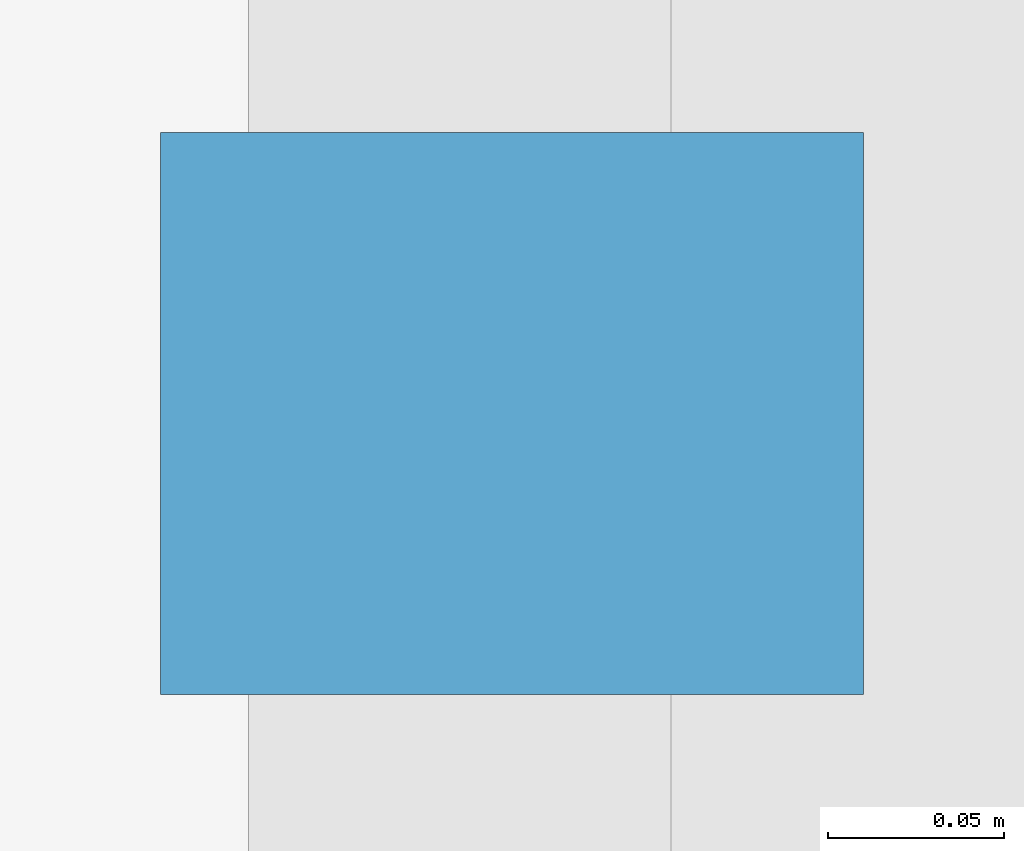
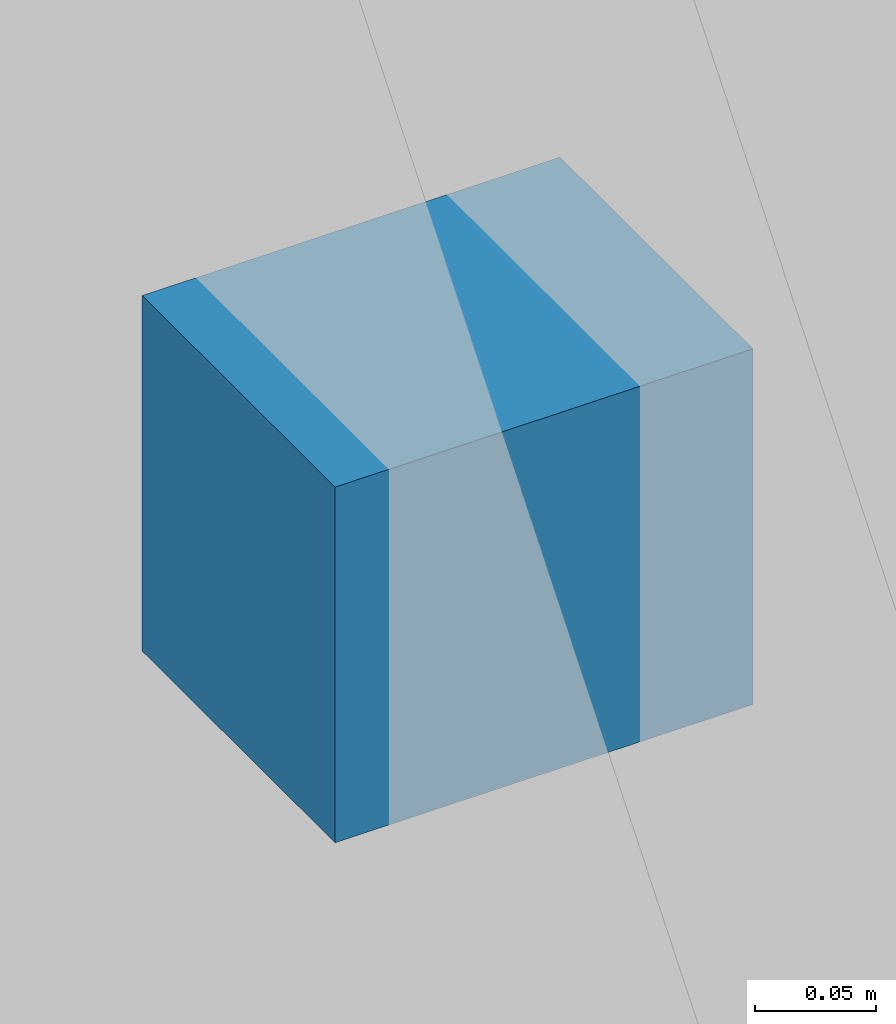
# One storey, part 18 of 22: 1 discrete accessory.
"""IFC4 building model written with IfcOpenShell, lengths in metres."""

import ifcopenshell
import ifcopenshell.guid

model = None  # the IFC model being written
_history = None  # IfcOwnerHistory: only IFC2X3 demands one
_inside = {}  # id of a spatial element -> (the spatial element, [elements in it])
_under = {}  # id of a project, library or spatial element -> (it, [spatial elements below it])
_declared = {}  # id of a project -> (the project, [libraries it declares])
_typed = {}  # id of a type object -> (the type object, [elements of that type])
_made_of = {}  # id of a material, layer set ... -> (it, [elements and type objects made of it])


def new_model(schema):
    """Start an empty IFC model of exactly this schema.

    Asked for "IFC4X3", IfcOpenShell would pick the latest addendum, in which some entities
    have other attributes; the version numbers below select the first issue.
    IFC2X3 requires an IfcOwnerHistory on every rooted entity: one is made here for all.
    """
    global model, _history
    if schema == "IFC4X3":
        model = ifcopenshell.file(schema_version=(4, 3, 0, 0))
    else:
        model = ifcopenshell.file(schema=schema)
    _inside.clear()
    _under.clear()
    _declared.clear()
    _typed.clear()
    _made_of.clear()
    _history = None
    if model.schema == "IFC2X3":
        org = make("IfcOrganization", Name="unknown")
        user = make(
            "IfcPersonAndOrganization",
            ThePerson=make("IfcPerson", FamilyName="unknown"),
            TheOrganization=org,
        )
        app = make(
            "IfcApplication",
            ApplicationDeveloper=org,
            Version="unknown",
            ApplicationFullName="unknown",
            ApplicationIdentifier="unknown",
        )
        _history = make(
            "IfcOwnerHistory",
            OwningUser=user,
            OwningApplication=app,
            ChangeAction="ADDED",
            CreationDate=0,
        )
    return model


def make(cls, **values):
    """One entity of the class cls with the attributes given. An attribute that is None is left unset."""
    return model.create_entity(
        cls, **{name: value for name, value in values.items() if value is not None}
    )


def rooted(cls, **values):
    """An entity with a GlobalId (a new one), such as an element, a storey or a relation."""
    return make(cls, GlobalId=ifcopenshell.guid.new(), OwnerHistory=_history, **values)


def si_unit(unit_type, name, prefix=None):
    """IfcSIUnit, for example si_unit("LENGTHUNIT", "METRE", prefix="MILLI")."""
    return make("IfcSIUnit", UnitType=unit_type, Prefix=prefix, Name=name)


def assignment(units):
    """IfcUnitAssignment: the units of a project."""
    return None if units is None else make("IfcUnitAssignment", Units=units)


def point(xyz):
    """IfcCartesianPoint."""
    return None if xyz is None else make("IfcCartesianPoint", Coordinates=xyz)


def direction(xyz):
    """IfcDirection."""
    return None if xyz is None else make("IfcDirection", DirectionRatios=xyz)


def frame(location, z_axis=None, x_axis=None):
    """IfcAxis2Placement3D, a coordinate frame: its origin and axes. An axis left out is left unset."""
    return make(
        "IfcAxis2Placement3D",
        Location=point(location),
        Axis=direction(z_axis),
        RefDirection=direction(x_axis),
    )


def frame_2d(location, x_axis=None):
    """IfcAxis2Placement2D, a coordinate frame in the plane: its origin and x axis."""
    return make(
        "IfcAxis2Placement2D", Location=point(location), RefDirection=direction(x_axis)
    )


def origin():
    """The frame at (0, 0, 0) with its axes left unset."""
    return frame((0.0, 0.0, 0.0))


def origin_2d():
    """The frame at (0, 0) in the plane with its x axis left unset."""
    return frame_2d((0.0, 0.0))


def place(relative_to, where):
    """IfcLocalPlacement: puts the frame where relative to a parent placement (None: the world)."""
    return make(
        "IfcLocalPlacement", PlacementRelTo=relative_to, RelativePlacement=where
    )


def context(
    kind, dimensions, precision=None, world=None, true_north=None, identifier=None
):
    """IfcGeometricRepresentationContext, for example the 3D "Model" context."""
    return make(
        "IfcGeometricRepresentationContext",
        ContextIdentifier=identifier,
        ContextType=kind,
        CoordinateSpaceDimension=dimensions,
        Precision=precision,
        WorldCoordinateSystem=world,
        TrueNorth=true_north,
    )


def subcontext(parent, identifier, kind, view, scale=None):
    """IfcGeometricRepresentationSubContext, for example "Body" below "Model"."""
    return make(
        "IfcGeometricRepresentationSubContext",
        ContextIdentifier=identifier,
        ContextType=kind,
        ParentContext=parent,
        TargetScale=scale,
        TargetView=view,
    )


def project(units=None, contexts=None):
    """IfcProject with its units and contexts."""
    return rooted(
        "IfcProject",
        Name="project",
        RepresentationContexts=contexts,
        UnitsInContext=assignment(units),
    )


def spatial(cls, under=None, at=None, **own):
    """A site, building, storey or space (cls), placed at a placement, below another one or the project."""
    s = rooted(cls, ObjectPlacement=at, **own)
    if under is not None:
        _under.setdefault(under.id(), (under, []))[1].append(s)
    return s


def profile(cls, at=None, kind="AREA", **sizes):
    """A parametric profile (cls). Its sizes go by their IFC names, for example OverallWidth=200.0."""
    return make(cls, ProfileType=kind, Position=at, **sizes)


def rectangle(**sizes):
    """IfcRectangleProfileDef."""
    return profile("IfcRectangleProfileDef", **sizes)


def extrude(swept, where, along, depth):
    """IfcExtrudedAreaSolid: the profile swept, set in the frame where, extruded along a direction by depth."""
    return make(
        "IfcExtrudedAreaSolid",
        SweptArea=swept,
        Position=where,
        ExtrudedDirection=direction(along),
        Depth=depth,
    )


def shape(context_of_items, identifier, shape_type, items):
    """IfcShapeRepresentation: the items that make up one representation, for example the "Body"."""
    return make(
        "IfcShapeRepresentation",
        ContextOfItems=context_of_items,
        RepresentationIdentifier=identifier,
        RepresentationType=shape_type,
        Items=items,
    )


def material(Name=None, Category=None):
    """IfcMaterial."""
    return make("IfcMaterial", Name=Name, Category=Category)


def made_of(thing, what):
    """Note that an element or type object is made of a material, layer set ...; save() writes the relation."""
    if what is not None:
        _made_of.setdefault(what.id(), (what, []))[1].append(thing)
    return thing


def type_object(cls, material=None, **own):
    """A type object (cls), such as IfcWallType, which elements share."""
    return made_of(rooted(cls, **own), material)


def element(
    cls,
    number,
    at=None,
    inside=None,
    cuts=None,
    type_object=None,
    material=None,
    context=None,
    identifier="Body",
    shape_type=None,
    held_by="IfcProductDefinitionShape",
    body=None,
    shapes=None,
    **own,
):
    """One element of the class cls, such as IfcWall. Its Tag is "e" and its number.

    at: its placement. inside: the storey or other place that contains it. cuts: it is an
    opening in that element (IfcRelVoidsElement). A single representation is given by context,
    identifier, shape_type and body (its items); several are given by shapes. held_by: the class
    of the entity that holds the representations. save() writes the other relations.
    """
    e = rooted(cls, Tag="e%d" % number, ObjectPlacement=at, **own)
    if body is not None:
        shapes = [shape(context, identifier, shape_type, body)]
    if shapes is not None:
        e.Representation = make(held_by, Representations=shapes)
    if inside is not None:
        _inside.setdefault(inside.id(), (inside, []))[1].append(e)
    if cuts is not None:
        rooted(
            "IfcRelVoidsElement", RelatingBuildingElement=cuts, RelatedOpeningElement=e
        )
    if type_object is not None:
        _typed.setdefault(type_object.id(), (type_object, []))[1].append(e)
    return made_of(e, material)


def aggregate(whole, parts):
    """IfcRelAggregates: a whole, such as a stair, and the parts it consists of."""
    return rooted("IfcRelAggregates", RelatingObject=whole, RelatedObjects=parts)


def save(model, path):
    """Write the relations noted so far, then the file.

    IfcRelAggregates (storeys below a building ...), IfcRelContainedInSpatialStructure (elements
    in a storey), IfcRelDefinesByType, IfcRelAssociatesMaterial and IfcRelDeclares: one each for
    every whole, place, type object, material and project.
    """
    for whole, parts in _under.values():
        aggregate(whole, parts)
    for where, things in _inside.values():
        rooted(
            "IfcRelContainedInSpatialStructure",
            RelatedElements=things,
            RelatingStructure=where,
        )
    for kind, things in _typed.values():
        rooted("IfcRelDefinesByType", RelatedObjects=things, RelatingType=kind)
    for what, things in _made_of.values():
        rooted("IfcRelAssociatesMaterial", RelatedObjects=things, RelatingMaterial=what)
    for by, libraries in _declared.values():
        rooted("IfcRelDeclares", RelatingContext=by, RelatedDefinitions=libraries)
    model.write(path)


model = new_model("IFC4")

# Units and contexts
model_context = context("Model", 3, precision=1e-05, world=origin(), true_north=direction((0.0, 1.0)))
body_context = subcontext(model_context, "Body", "Model", "MODEL_VIEW")
ifc_project = project(units=[si_unit("LENGTHUNIT", "METRE"), si_unit("AREAUNIT", "SQUARE_METRE"), si_unit("VOLUMEUNIT", "CUBIC_METRE"), si_unit("PLANEANGLEUNIT", "RADIAN"), si_unit("MASSUNIT", "GRAM", prefix="KILO")], contexts=[model_context])

# Site, building, storey
site_placement = place(None, origin())
site = spatial("IfcSite", under=ifc_project, at=site_placement, CompositionType="ELEMENT")
building_placement = place(site_placement, origin())
building = spatial("IfcBuilding", under=site, at=building_placement, Name="Koriwani Terraces Tower", CompositionType="ELEMENT")
storey_placement = place(building_placement, frame((0.0, 0.0, 182.800048828125)))
storey = spatial("IfcBuildingStorey", under=building, at=storey_placement, Name="L44", CompositionType="ELEMENT", Elevation=182.800048828125)

# Discrete accessory
ifc_material = material(Name="Steel ASTM A572 Grade 50", Category="steel")
discrete_accessory_type = type_object("IfcDiscreteAccessoryType", Name="BAGUETTE_STANDOFF_BRACKET", PredefinedType="BRACKET", material=ifc_material)
discrete_accessory_placement = place(storey_placement, frame((33.2099609375, 63.0, 1.64501953125), z_axis=(0.0, 0.0, 1.0), x_axis=(0.0, -1.0, 0.0)))
element("IfcDiscreteAccessory", 1, at=discrete_accessory_placement, inside=storey, type_object=discrete_accessory_type, Name="L44 Terracotta Baguette Bracket (NW_IN-11)", PredefinedType="BRACKET", context=body_context, shape_type="SweptSolid", body=[
    extrude(rectangle(XDim=0.159912109375, YDim=0.199951171875, at=origin_2d()), origin(), (0.0, 0.0, 1.0), 0.179931640625),
])

save(model, "model.ifc")
